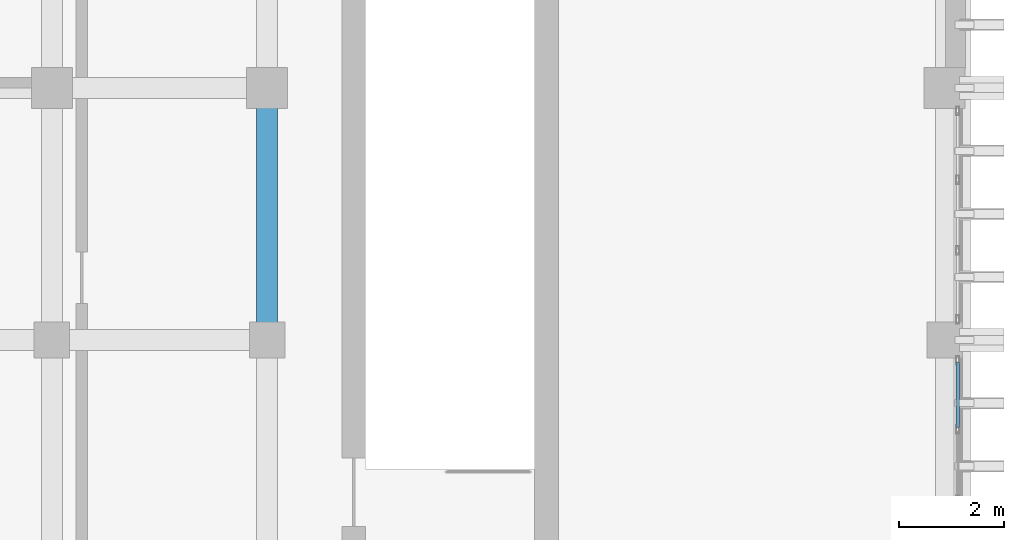
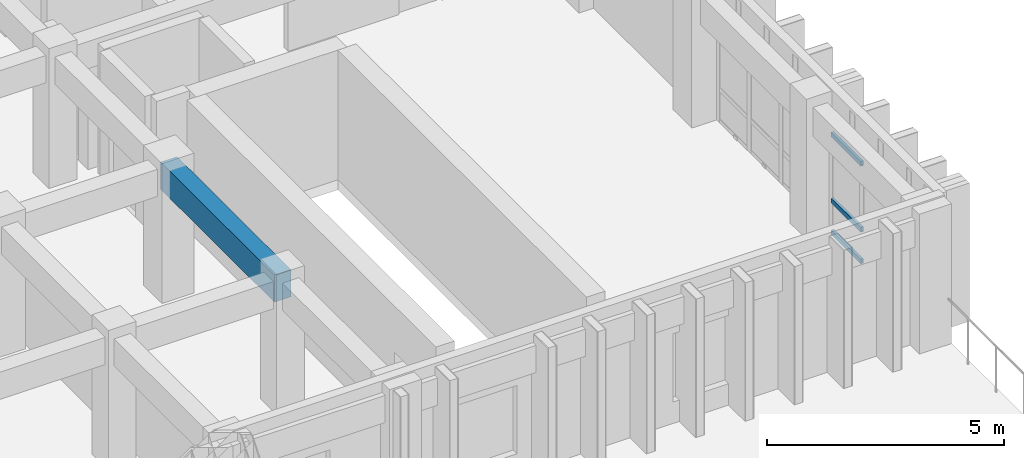
# One storey, part 7 of 68: 3 members, 1 beam, 1 element without a shape of its own.
"""IFC4 building model written with IfcOpenShell, lengths in metres."""

from ifc_helpers import new_model, si_unit, direction, frame, origin, origin_2d, place, context, subcontext, project, spatial, rectangle, hollow_rectangle, extrude, material, layer, layer_set, material_profile, profile_set, type_object, element, aggregate, save


model = new_model("IFC4")

# Units and contexts
model_context = context("Model", 3, precision=1e-05, world=origin(), true_north=direction((0.0, 1.0)))
body_context = subcontext(model_context, "Body", "Model", "MODEL_VIEW")
ifc_project = project(units=[si_unit("LENGTHUNIT", "METRE"), si_unit("AREAUNIT", "SQUARE_METRE"), si_unit("VOLUMEUNIT", "CUBIC_METRE"), si_unit("PLANEANGLEUNIT", "RADIAN"), si_unit("MASSUNIT", "GRAM", prefix="KILO")], contexts=[model_context])

# Site, building, storey
site_placement = place(None, origin())
site = spatial("IfcSite", under=ifc_project, at=site_placement, CompositionType="ELEMENT")
building_placement = place(site_placement, origin())
building = spatial("IfcBuilding", under=site, at=building_placement, Name="Nakhvara Creek Congress Hotel", CompositionType="ELEMENT")
storey_placement = place(building_placement, frame((0.0, 0.0, 24.60009765625)))
storey = spatial("IfcBuildingStorey", under=building, at=storey_placement, Name="L05", CompositionType="ELEMENT", Elevation=24.60009765625)

# Beam
ifc_material_1 = material(Name="Concrete C40/50", Category="concrete")
ifc_material_profile_1 = material_profile(ifc_material_1, rectangle(XDim=0.39990234375, YDim=0.699951171875, at=origin_2d()), Name="RC-BM 400x700", Category="LoadBearing")
ifc_profile_set_1 = profile_set([ifc_material_profile_1], Name="Concrete C40/50")
beam_type = type_object("IfcBeamType", Name="BM-RC-400X700", PredefinedType="BEAM", material=ifc_profile_set_1)
beam_placement = place(storey_placement, frame((166.449951171875, 33.60009765625, 2.989990234375), z_axis=(0.0, 1.0, 0.0), x_axis=(-1.0, 0.0, 0.0)))
element("IfcBeam", 1, at=beam_placement, inside=storey, type_object=beam_type, Name="Beam B05-L05-2120", PredefinedType="BEAM", context=body_context, shape_type="SweptSolid", body=[
    extrude(rectangle(XDim=0.39990234375, YDim=0.699951171875, at=origin_2d()), origin(), (0.0, 0.0, 1.0), 4.7998046875),
])

# Curtain wall, members
ifc_material_2 = material(Name="Bronze-anodised aluminium AW-6063-T6 and double-silver low-E glass", Category="aluminium")
ifc_layer = layer(ifc_material_2, 0.199951171875)
ifc_layer_set = layer_set([ifc_layer], Name="Bronze-anodised aluminium AW-6063-T6 and double-silver low-E glass")
curtain_wall_type = type_object("IfcCurtainWallType", Name="CW-HTL-UNIT", PredefinedType="USERDEFINED", material=ifc_layer_set)
curtain_wall_placement = place(storey_placement, origin())
curtain_wall = element("IfcCurtainWall", 2, at=curtain_wall_placement, inside=storey, type_object=curtain_wall_type, Name="Curtain Wall CW202", ObjectType="UNITISED", PredefinedType="USERDEFINED")
ifc_material_3 = material(Name="Bronze-anodised aluminium AW-6063-T6", Category="aluminium")
ifc_material_profile_2 = material_profile(ifc_material_3, hollow_rectangle(XDim=0.06494140625, YDim=0.1201171875, WallThickness=0.00390625, at=origin_2d()), Name="ALU-TRAN 65x120x4", Category="LoadBearing")
ifc_profile_set_2 = profile_set([ifc_material_profile_2], Name="Bronze-anodised aluminium AW-6063-T6")
member_type = type_object("IfcMemberType", Name="CW-TRAN-120", PredefinedType="USERDEFINED", material=ifc_profile_set_2)
member_1_placement = place(storey_placement, frame((179.60009765625, 33.179931640625, 0.032470703125), z_axis=(0.0, -1.0, 0.0), x_axis=(1.0, 0.0, 0.0)))
member_1 = element("IfcMember", 3, at=member_1_placement, type_object=member_type, Name="CW202 transom 1.1", ObjectType="TRANSOM", PredefinedType="USERDEFINED", context=body_context, shape_type="SweptSolid", body=[
    extrude(hollow_rectangle(XDim=0.06494140625, YDim=0.1201171875, WallThickness=0.00390625, at=origin_2d()), origin(), (0.0, 0.0, 1.0), 1.2490234375),
])
member_2_placement = place(storey_placement, frame((179.60009765625, 33.179931640625, 0.849853515625), z_axis=(0.0, -1.0, 0.0), x_axis=(1.0, 0.0, 0.0)))
member_2 = element("IfcMember", 4, at=member_2_placement, type_object=member_type, Name="CW202 transom 1.2", ObjectType="TRANSOM", PredefinedType="USERDEFINED", context=body_context, shape_type="SweptSolid", body=[
    extrude(hollow_rectangle(XDim=0.06494140625, YDim=0.1201171875, WallThickness=0.00390625, at=origin_2d()), origin(), (0.0, 0.0, 1.0), 1.2490234375),
])
member_3_placement = place(storey_placement, frame((179.60009765625, 33.179931640625, 2.54931640625), z_axis=(0.0, -1.0, 0.0), x_axis=(1.0, 0.0, 0.0)))
member_3 = element("IfcMember", 5, at=member_3_placement, type_object=member_type, Name="CW202 transom 1.3", ObjectType="TRANSOM", PredefinedType="USERDEFINED", context=body_context, shape_type="SweptSolid", body=[
    extrude(hollow_rectangle(XDim=0.06494140625, YDim=0.1201171875, WallThickness=0.00390625, at=origin_2d()), origin(), (0.0, 0.0, 1.0), 1.2490234375),
])
aggregate(curtain_wall, [member_1, member_2, member_3])

save(model, "model.ifc")
